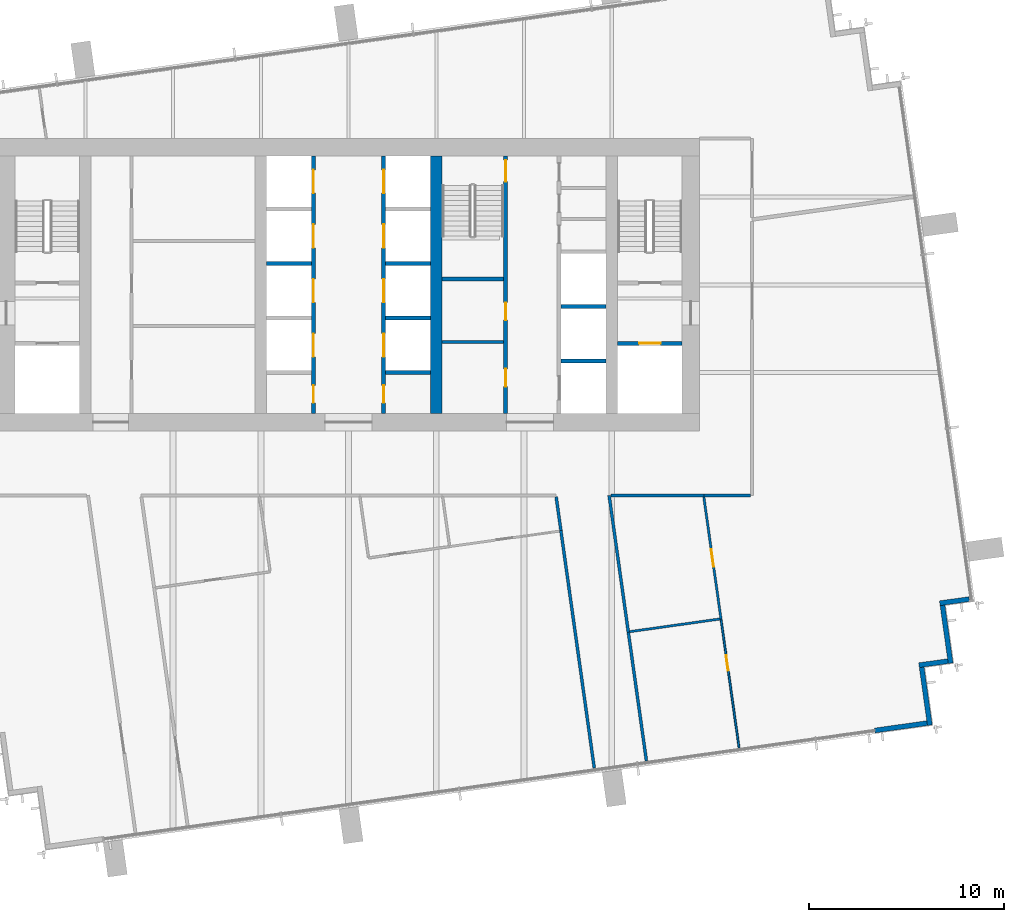
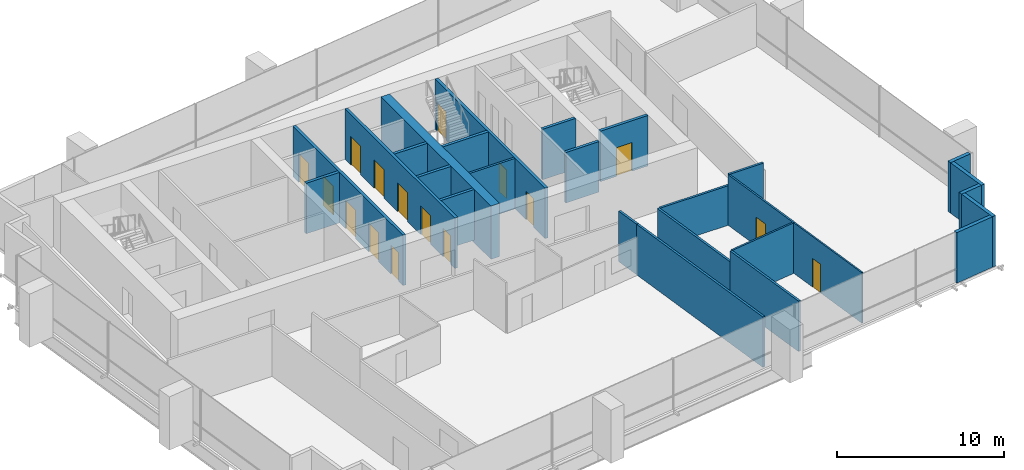
# One storey, part 10 of 13: 27 walls, 16 doors, 16 openings.
"""IFC4 building model written with IfcOpenShell, lengths in metres."""

from ifc_helpers import new_model, si_unit, direction, frame, frame_2d, origin, place, context, subcontext, project, spatial, rectangle, extrude, material, layer, layer_set, type_object, element, fill, save


model = new_model("IFC4")

# Units and contexts
model_context = context("Model", 3, precision=1e-05, world=origin(), true_north=direction((0.0, 1.0)))
body_context = subcontext(model_context, "Body", "Model", "MODEL_VIEW")
ifc_project = project(units=[si_unit("LENGTHUNIT", "METRE"), si_unit("AREAUNIT", "SQUARE_METRE"), si_unit("VOLUMEUNIT", "CUBIC_METRE"), si_unit("PLANEANGLEUNIT", "RADIAN"), si_unit("MASSUNIT", "GRAM", prefix="KILO")], contexts=[model_context])

# Site, building, storey
site_placement = place(None, origin())
site = spatial("IfcSite", under=ifc_project, at=site_placement, CompositionType="ELEMENT")
building_placement = place(site_placement, origin())
building = spatial("IfcBuilding", under=site, at=building_placement, Name="Rattan Terrace Tower", CompositionType="ELEMENT")
storey_placement = place(building_placement, frame((0.0, 0.0, 217.39990234375)))
storey = spatial("IfcBuildingStorey", under=building, at=storey_placement, Name="L49", CompositionType="ELEMENT", Elevation=217.39990234375)

# Wall
ifc_material_1 = material(Name="Gypsum board partition")
ifc_layer_1 = layer(ifc_material_1, 0.14990234375)
ifc_layer_set_1 = layer_set([ifc_layer_1], Name="Core partition 150")
wall_type_1 = type_object("IfcWallType", Name="Core partition 150", PredefinedType="PARTITIONING", material=ifc_layer_set_1)
wall_1_placement = place(storey_placement, frame((4.800048828125, -2.927978515625, 0.0), z_axis=(0.0, 0.0, 1.0), x_axis=(1.0, 0.0, 0.0)))
element("IfcWall", 1, at=wall_1_placement, inside=storey, type_object=wall_type_1, Name="Toilet wall", PredefinedType="PARTITIONING", context=body_context, shape_type="SweptSolid", body=[
    extrude(rectangle(XDim=3.14990234375, YDim=0.14990234375, at=frame_2d((1.574951171875, 0.0))), origin(), (0.0, 0.0, 1.0), 3.7001953125),
])

# Wall, opening, door
ifc_material_2 = material(Name="Gypsum board partition")
ifc_layer_2 = layer(ifc_material_2, 0.199951171875)
ifc_layer_set_2 = layer_set([ifc_layer_2], Name="Core partition 200")
wall_type_2 = type_object("IfcWallType", Name="Core partition 200", PredefinedType="PARTITIONING", material=ifc_layer_set_2)
wall_2_placement = place(storey_placement, frame((13.800048828125, -3.0, 0.0), z_axis=(0.0, 0.0, 1.0), x_axis=(1.0, 0.0, 0.0)))
wall_2 = element("IfcWall", 2, at=wall_2_placement, inside=storey, type_object=wall_type_2, Name="Fire-fighting lobby wall", PredefinedType="PARTITIONING", context=body_context, shape_type="SweptSolid", body=[
    extrude(rectangle(XDim=3.300048828125, YDim=0.199951171875, at=frame_2d((1.64990234375, 0.0))), origin(), (0.0, 0.0, 1.0), 3.7001953125),
])
opening_1_placement = place(wall_2_placement, frame((1.10009765625, 0.0, 0.0)))
opening_1 = element("IfcOpeningElement", 3, at=opening_1_placement, cuts=wall_2, Name="Opening L49-LD-FF2", PredefinedType="OPENING", context=body_context, shape_type="SweptSolid", body=[
    extrude(rectangle(XDim=1.10009765625, YDim=2.10009765625, at=frame_2d((0.550048828125, 1.050048828125))), frame((0.0, 0.110595703125, 0.0), z_axis=(0.0, -1.0, 0.0), x_axis=(1.0, 0.0, 0.0)), (0.0, 0.0, 1.0), 0.220947265625),
])
ifc_material_3 = material(Name="Brushed stainless landing door panel")
door_type_1 = type_object("IfcDoorType", Name="Core lift landing door 1100", OperationType="DOUBLE_DOOR_SLIDING", PredefinedType="DOOR", material=ifc_material_3)
door_1_placement = place(opening_1_placement, origin())
door_1 = element("IfcDoor", 4, at=door_1_placement, inside=storey, type_object=door_type_1, Name="Door L49-LD-FF2", OperationType="DOUBLE_DOOR_SLIDING", OverallHeight=2.10009765625, OverallWidth=1.10009765625, PredefinedType="DOOR", context=body_context, shape_type="SweptSolid", body=[
    extrude(rectangle(XDim=1.10009765625, YDim=2.10009765625, at=frame_2d((0.550048828125, 1.050048828125))), frame((0.0, 0.02490234375, 0.0), z_axis=(0.0, -1.0, 0.0), x_axis=(1.0, 0.0, 0.0)), (0.0, 0.0, 1.0), 0.050048828125),
])
fill(opening_1, door_1)

# Wall, openings, doors
wall_3_placement = place(storey_placement, frame((8.050048828125, -6.60009765625, 0.0), z_axis=(0.0, 0.0, 1.0), x_axis=(0.0, 1.0, 0.0)))
wall_3 = element("IfcWall", 5, at=wall_3_placement, inside=storey, type_object=wall_type_2, Name="Lobby wall west", PredefinedType="PARTITIONING", context=body_context, shape_type="SweptSolid", body=[
    extrude(rectangle(XDim=13.2001953125, YDim=0.199951171875, at=frame_2d((6.60009765625, 0.0))), origin(), (0.0, 0.0, 1.0), 3.7001953125),
])
opening_2_placement = place(wall_3_placement, frame((1.385986328125, 0.0, 0.0)))
opening_2 = element("IfcOpeningElement", 6, at=opening_2_placement, cuts=wall_3, Name="Opening L49-D012", PredefinedType="OPENING", context=body_context, shape_type="SweptSolid", body=[
    extrude(rectangle(XDim=0.89990234375, YDim=2.10009765625, at=frame_2d((0.449951171875, 1.050048828125))), frame((0.0, 0.110595703125, 0.0), z_axis=(0.0, -1.0, 0.0), x_axis=(1.0, 0.0, 0.0)), (0.0, 0.0, 1.0), 0.220947265625),
])
opening_3_placement = place(wall_3_placement, frame((4.785888671875, 0.0, 0.0)))
opening_3 = element("IfcOpeningElement", 7, at=opening_3_placement, cuts=wall_3, Name="Opening L49-D013", PredefinedType="OPENING", context=body_context, shape_type="SweptSolid", body=[
    extrude(rectangle(XDim=0.89990234375, YDim=2.10009765625, at=frame_2d((0.449951171875, 1.050048828125))), frame((0.0, 0.110595703125, 0.0), z_axis=(0.0, -1.0, 0.0), x_axis=(1.0, 0.0, 0.0)), (0.0, 0.0, 1.0), 0.220947265625),
])
opening_4_placement = place(wall_3_placement, frame((11.89990234375, 0.0, 0.0)))
opening_4 = element("IfcOpeningElement", 8, at=opening_4_placement, cuts=wall_3, Name="Opening L49-D014", PredefinedType="OPENING", context=body_context, shape_type="SweptSolid", body=[
    extrude(rectangle(XDim=1.10009765625, YDim=2.10009765625, at=frame_2d((0.550048828125, 1.050048828125))), frame((0.0, 0.110595703125, 0.0), z_axis=(0.0, -1.0, 0.0), x_axis=(1.0, 0.0, 0.0)), (0.0, 0.0, 1.0), 0.220947265625),
])
ifc_material_4 = material(Name="Hollow-metal fire door leaf")
door_type_2 = type_object("IfcDoorType", Name="Core stair door 1100", OperationType="NOTDEFINED", PredefinedType="DOOR", material=ifc_material_4)
door_2_placement = place(opening_4_placement, origin())
door_2 = element("IfcDoor", 9, at=door_2_placement, inside=storey, type_object=door_type_2, Name="Door L49-D014", OperationType="SINGLE_SWING_LEFT", OverallHeight=2.10009765625, OverallWidth=1.10009765625, PredefinedType="DOOR", context=body_context, shape_type="SweptSolid", body=[
    extrude(rectangle(XDim=1.10009765625, YDim=2.10009765625, at=frame_2d((0.550048828125, 1.050048828125))), frame((0.0, 0.02490234375, 0.0), z_axis=(0.0, -1.0, 0.0), x_axis=(1.0, 0.0, 0.0)), (0.0, 0.0, 1.0), 0.050048828125),
])
fill(opening_4, door_2)
ifc_material_5 = material(Name="Hollow-metal fire door leaf")
door_type_3 = type_object("IfcDoorType", Name="Core toilet door 900", OperationType="NOTDEFINED", PredefinedType="DOOR", material=ifc_material_5)
door_3_placement = place(opening_2_placement, origin())
door_3 = element("IfcDoor", 10, at=door_3_placement, inside=storey, type_object=door_type_3, Name="Door L49-D012", OperationType="SINGLE_SWING_LEFT", OverallHeight=2.10009765625, OverallWidth=0.89990234375, PredefinedType="DOOR", context=body_context, shape_type="SweptSolid", body=[
    extrude(rectangle(XDim=0.89990234375, YDim=2.10009765625, at=frame_2d((0.449951171875, 1.050048828125))), frame((0.0, 0.02490234375, 0.0), z_axis=(0.0, -1.0, 0.0), x_axis=(1.0, 0.0, 0.0)), (0.0, 0.0, 1.0), 0.050048828125),
])
fill(opening_2, door_3)
door_4_placement = place(opening_3_placement, origin())
door_4 = element("IfcDoor", 11, at=door_4_placement, inside=storey, type_object=door_type_3, Name="Door L49-D013", OperationType="SINGLE_SWING_RIGHT", OverallHeight=2.10009765625, OverallWidth=0.89990234375, PredefinedType="DOOR", context=body_context, shape_type="SweptSolid", body=[
    extrude(rectangle(XDim=0.89990234375, YDim=2.10009765625, at=frame_2d((0.449951171875, 1.050048828125))), frame((0.0, 0.02490234375, 0.0), z_axis=(0.0, -1.0, 0.0), x_axis=(1.0, 0.0, 0.0)), (0.0, 0.0, 1.0), 0.050048828125),
])
fill(opening_3, door_4)

# Walls
wall_4_placement = place(storey_placement, frame((4.800048828125, 0.300048828125, 0.0), z_axis=(0.0, 0.0, 1.0), x_axis=(1.0, 0.0, 0.0)))
element("IfcWall", 12, at=wall_4_placement, inside=storey, type_object=wall_type_2, Name="Stair enclosure wall", PredefinedType="PARTITIONING", context=body_context, shape_type="SweptSolid", body=[
    extrude(rectangle(XDim=3.14990234375, YDim=0.199951171875, at=frame_2d((1.574951171875, 0.0))), origin(), (0.0, 0.0, 1.0), 3.7001953125),
])
ifc_material_6 = material(Name="Concrete C50/60", Category="concrete")
ifc_layer_3 = layer(ifc_material_6, 0.60009765625)
ifc_layer_set_3 = layer_set([ifc_layer_3], Name="Core spine wall 600 C50/60")
wall_type_3 = type_object("IfcWallType", Name="Core spine wall 600 C50/60", PredefinedType="SHEAR", material=ifc_layer_set_3)
wall_5_placement = place(storey_placement, frame((4.5, -6.60009765625, -0.199951171875), z_axis=(0.0, 0.0, 1.0), x_axis=(0.0, 1.0, 0.0)))
element("IfcWall", 13, at=wall_5_placement, inside=storey, type_object=wall_type_3, Name="Core spine wall 3", PredefinedType="SHEAR", context=body_context, shape_type="SweptSolid", body=[
    extrude(rectangle(XDim=13.2001953125, YDim=0.60009765625, at=frame_2d((6.60009765625, 0.0))), origin(), (0.0, 0.0, 1.0), 3.900146484375),
])
ifc_material_7 = material(Name="Insulated aluminium-clad stud wall", Category="aluminium")
ifc_layer_4 = layer(ifc_material_7, 0.25)
ifc_layer_set_4 = layer_set([ifc_layer_4], Name="Facade Riser Wall 250")
wall_type_4 = type_object("IfcWallType", Name="Facade Riser Wall 250", PredefinedType="SOLIDWALL", material=ifc_layer_set_4)
wall_6_placement = place(storey_placement, frame((26.995361328125, -22.858642578125, 0.0), z_axis=(0.0, 0.0, 1.0), x_axis=(0.99024510326, 0.139336411139, 0.0)))
element("IfcWall", 14, at=wall_6_placement, inside=storey, type_object=wall_type_4, Name="Riser wall L49-1", PredefinedType="SOLIDWALL", context=body_context, shape_type="SweptSolid", body=[
    extrude(rectangle(XDim=2.705322265625, YDim=0.25, at=frame_2d((1.3525390625, 0.0))), origin(), (0.0, 0.0, 1.0), 3.7001953125),
])
wall_7_placement = place(storey_placement, frame((29.8154296875, -22.588134765625, 0.0), z_axis=(0.0, 0.0, 1.0), x_axis=(-0.138983028379, 0.9902947631, 0.0)))
element("IfcWall", 15, at=wall_7_placement, inside=storey, type_object=wall_type_4, Name="Riser wall L49-2", PredefinedType="SOLIDWALL", context=body_context, shape_type="SweptSolid", body=[
    extrude(rectangle(XDim=3.000244140625, YDim=0.25, at=frame_2d((1.5, 0.0))), origin(), (0.0, 0.0, 1.0), 3.7001953125),
])
wall_8_placement = place(storey_placement, frame((29.25732421875, -19.510498046875, 0.0), z_axis=(0.0, 0.0, 1.0), x_axis=(0.990330117064, 0.138730887823, 0.0)))
element("IfcWall", 16, at=wall_8_placement, inside=storey, type_object=wall_type_4, Name="Riser wall L49-3", PredefinedType="SOLIDWALL", context=body_context, shape_type="SweptSolid", body=[
    extrude(rectangle(XDim=1.499267578125, YDim=0.25, at=frame_2d((0.74951171875, 0.0))), origin(), (0.0, 0.0, 1.0), 3.7001953125),
])
wall_9_placement = place(storey_placement, frame((30.88330078125, -19.408935546875, 0.0), z_axis=(0.0, 0.0, 1.0), x_axis=(-0.139324658755, 0.990246756855, 0.0)))
element("IfcWall", 17, at=wall_9_placement, inside=storey, type_object=wall_type_4, Name="Riser wall L49-4", PredefinedType="SOLIDWALL", context=body_context, shape_type="SweptSolid", body=[
    extrude(rectangle(XDim=3.0, YDim=0.25, at=frame_2d((1.5, 0.0))), origin(), (0.0, 0.0, 1.0), 3.7001953125),
])
wall_10_placement = place(storey_placement, frame((30.32421875, -16.331787109375, 0.0), z_axis=(0.0, 0.0, 1.0), x_axis=(0.990238641016, 0.139382329723, 0.0)))
element("IfcWall", 18, at=wall_10_placement, inside=storey, type_object=wall_type_4, Name="Riser wall L49-5", PredefinedType="SOLIDWALL", context=body_context, shape_type="SweptSolid", body=[
    extrude(rectangle(XDim=1.525634765625, YDim=0.25, at=frame_2d((0.7626953125, 0.0))), origin(), (0.0, 0.0, 1.0), 3.7001953125),
])

# Wall, opening, door
ifc_material_8 = material(Name="Gypsum board partition on steel studs", Category="steel")
ifc_layer_5 = layer(ifc_material_8, 0.10009765625)
ifc_layer_set_5 = layer_set([ifc_layer_5], Name="Floors Partition 100")
wall_type_5 = type_object("IfcWallType", Name="Floors Partition 100", PredefinedType="PARTITIONING", material=ifc_layer_set_5)
wall_11_placement = place(storey_placement, frame((20.030029296875, -23.74609375, 0.0), z_axis=(0.0, 0.0, 1.0), x_axis=(-0.139070003418, 0.990282552683, 0.0)))
wall_11 = element("IfcWall", 19, at=wall_11_placement, inside=storey, type_object=wall_type_5, Name="pt-L49-020", PredefinedType="PARTITIONING", context=body_context, shape_type="SweptSolid", body=[
    extrude(rectangle(XDim=6.65869140625, YDim=0.10009765625, at=frame_2d((3.329345703125, 0.0))), origin(), (0.0, 0.0, 1.0), 3.7001953125),
])
opening_5_placement = place(wall_11_placement, frame((4.0009765625, 0.0, 0.0)))
opening_5 = element("IfcOpeningElement", 20, at=opening_5_placement, cuts=wall_11, Name="Opening L49-D102", PredefinedType="OPENING", context=body_context, shape_type="SweptSolid", body=[
    extrude(rectangle(XDim=0.800048828125, YDim=2.10009765625, at=frame_2d((0.39990234375, 1.050048828125))), frame((0.0, 0.060546875, 0.0), z_axis=(0.0, -1.0, 0.0), x_axis=(1.0, 0.0, 0.0)), (0.0, 0.0, 1.0), 0.12109375),
])
ifc_material_9 = material(Name="Solid core timber door, painted", Category="wood")
door_type_4 = type_object("IfcDoorType", Name="Floors Store Door 800x2100", OperationType="NOTDEFINED", PredefinedType="DOOR", material=ifc_material_9)
door_5_placement = place(opening_5_placement, origin())
door_5 = element("IfcDoor", 21, at=door_5_placement, inside=storey, type_object=door_type_4, Name="d-L49-102", OperationType="SINGLE_SWING_RIGHT", OverallHeight=2.10009765625, OverallWidth=0.800048828125, PredefinedType="DOOR", context=body_context, shape_type="SweptSolid", body=[
    extrude(rectangle(XDim=0.800048828125, YDim=2.10009765625, at=frame_2d((0.39990234375, 1.050048828125))), frame((0.0, 0.02490234375, 0.0), z_axis=(0.0, -1.0, 0.0), x_axis=(1.0, 0.0, 0.0)), (0.0, 0.0, 1.0), 0.050048828125),
])
fill(opening_5, door_5)

# Walls
ifc_material_10 = material(Name="Gypsum board partition on steel studs, fire rated", Category="steel")
ifc_layer_6 = layer(ifc_material_10, 0.14990234375)
ifc_layer_set_6 = layer_set([ifc_layer_6], Name="Floors Tenancy Wall 150")
wall_type_6 = type_object("IfcWallType", Name="Floors Tenancy Wall 150", PredefinedType="PARTITIONING", material=ifc_layer_set_6)
wall_12_placement = place(storey_placement, frame((20.625, -10.801025390625, 0.0), z_axis=(0.0, 0.0, 1.0), x_axis=(-1.0, 0.0, 0.0)))
element("IfcWall", 22, at=wall_12_placement, inside=storey, type_object=wall_type_6, Name="pt-L49-004", PredefinedType="PARTITIONING", context=body_context, shape_type="SweptSolid", body=[
    extrude(rectangle(XDim=2.39404296875, YDim=0.14990234375, at=frame_2d((1.197021484375, 0.0))), origin(), (0.0, 0.0, 1.0), 3.7001953125),
])
wall_13_placement = place(storey_placement, frame((14.35009765625, -17.820068359375, 0.0), z_axis=(0.0, 0.0, 1.0), x_axis=(0.139193607275, -0.99026518655, 0.0)))
element("IfcWall", 23, at=wall_13_placement, inside=storey, type_object=wall_type_6, Name="pt-L49-006", PredefinedType="PARTITIONING", context=body_context, shape_type="SweptSolid", body=[
    extrude(rectangle(XDim=6.659912109375, YDim=0.14990234375, at=frame_2d((3.330078125, 0.0))), origin(), (0.0, 0.0, 1.0), 3.7001953125),
])
wall_14_placement = place(storey_placement, frame((13.363037109375, -10.800048828125, 0.0), z_axis=(0.0, 0.0, 1.0), x_axis=(0.139236890445, -0.990259101619, 0.0)))
element("IfcWall", 24, at=wall_14_placement, inside=storey, type_object=wall_type_6, Name="pt-L49-007", PredefinedType="PARTITIONING", context=body_context, shape_type="SweptSolid", body=[
    extrude(rectangle(XDim=7.089111328125, YDim=0.14990234375, at=frame_2d((3.54443359375, 0.0))), origin(), (0.0, 0.0, 1.0), 2.900146484375),
])
wall_15_placement = place(storey_placement, frame((18.23095703125, -10.800048828125, 0.0), z_axis=(0.0, 0.0, 1.0), x_axis=(-1.0, 0.0, 0.0)))
element("IfcWall", 25, at=wall_15_placement, inside=storey, type_object=wall_type_6, Name="pt-L49-008", PredefinedType="PARTITIONING", context=body_context, shape_type="SweptSolid", body=[
    extrude(rectangle(XDim=4.781982421875, YDim=0.14990234375, at=frame_2d((2.39111328125, 0.0))), origin(), (0.0, 0.0, 1.0), 2.900146484375),
])
wall_16_placement = place(storey_placement, frame((12.60302734375, -24.791015625, 0.0), z_axis=(0.0, 0.0, 1.0), x_axis=(-0.139180069817, 0.990267089308, 0.0)))
element("IfcWall", 26, at=wall_16_placement, inside=storey, type_object=wall_type_6, Name="pt-L49-014", PredefinedType="PARTITIONING", context=body_context, shape_type="SweptSolid", body=[
    extrude(rectangle(XDim=12.308837890625, YDim=0.14990234375, at=frame_2d((6.154296875, 0.0))), origin(), (0.0, 0.0, 1.0), 3.7001953125),
])
wall_17_placement = place(storey_placement, frame((10.89111328125, -12.60107421875, 0.0), z_axis=(0.0, 0.0, 1.0), x_axis=(-0.139344862723, 0.990243914009, 0.0)))
element("IfcWall", 27, at=wall_17_placement, inside=storey, type_object=wall_type_6, Name="pt-L49-019", PredefinedType="PARTITIONING", context=body_context, shape_type="SweptSolid", body=[
    extrude(rectangle(XDim=1.7451171875, YDim=0.14990234375, at=frame_2d((0.87255859375, 0.0))), origin(), (0.0, 0.0, 1.0), 3.7001953125),
])

# Wall, opening, door
ifc_material_11 = material(Name="Moisture resistant gypsum board partition on steel studs with service cavity", Category="steel")
ifc_layer_7 = layer(ifc_material_11, 0.1201171875)
ifc_layer_set_7 = layer_set([ifc_layer_7], Name="Floors Wet Wall 120")
wall_type_7 = type_object("IfcWallType", Name="Floors Wet Wall 120", PredefinedType="PARTITIONING", material=ifc_layer_set_7)
wall_18_placement = place(storey_placement, frame((19.10400390625, -17.152099609375, 0.0), z_axis=(0.0, 0.0, 1.0), x_axis=(-0.139283120935, 0.99025260021, 0.0)))
wall_18 = element("IfcWall", 28, at=wall_18_placement, inside=storey, type_object=wall_type_7, Name="pt-L49-021", PredefinedType="PARTITIONING", context=body_context, shape_type="SweptSolid", body=[
    extrude(rectangle(XDim=6.346923828125, YDim=0.1201171875, at=frame_2d((3.17333984375, 0.0))), origin(), (0.0, 0.0, 1.0), 3.7001953125),
])
opening_6_placement = place(wall_18_placement, frame((2.722900390625, 0.0, 0.0)))
opening_6 = element("IfcOpeningElement", 29, at=opening_6_placement, cuts=wall_18, Name="Opening L49-D103", PredefinedType="OPENING", context=body_context, shape_type="SweptSolid", body=[
    extrude(rectangle(XDim=0.89990234375, YDim=2.10009765625, at=frame_2d((0.449951171875, 1.050048828125))), frame((0.0, 0.070556640625, 0.0), z_axis=(0.0, -1.0, 0.0), x_axis=(1.0, 0.0, 0.0)), (0.0, 0.0, 1.0), 0.14111328125),
])
ifc_material_12 = material(Name="Solid core timber door, painted", Category="wood")
door_type_5 = type_object("IfcDoorType", Name="Floors Door 900x2100", OperationType="NOTDEFINED", PredefinedType="DOOR", material=ifc_material_12)
door_6_placement = place(opening_6_placement, origin())
door_6 = element("IfcDoor", 30, at=door_6_placement, inside=storey, type_object=door_type_5, Name="d-L49-103", OperationType="SINGLE_SWING_RIGHT", OverallHeight=2.10009765625, OverallWidth=0.89990234375, PredefinedType="DOOR", context=body_context, shape_type="SweptSolid", body=[
    extrude(rectangle(XDim=0.89990234375, YDim=2.10009765625, at=frame_2d((0.449951171875, 1.050048828125))), frame((0.0, 0.02490234375, 0.0), z_axis=(0.0, -1.0, 0.0), x_axis=(1.0, 0.0, 0.0)), (0.0, 0.0, 1.0), 0.050048828125),
])
fill(opening_6, door_6)

# Wall
wall_19_placement = place(storey_placement, frame((14.4208984375, -17.7900390625, 0.0), z_axis=(0.0, 0.0, 1.0), x_axis=(0.990243495755, 0.139347834982, 0.0)))
element("IfcWall", 31, at=wall_19_placement, inside=storey, type_object=wall_type_7, Name="pt-L49-023", PredefinedType="PARTITIONING", context=body_context, shape_type="SweptSolid", body=[
    extrude(rectangle(XDim=4.66552734375, YDim=0.1201171875, at=frame_2d((2.332763671875, 0.0))), origin(), (0.0, 0.0, 1.0), 3.7001953125),
])

# Wall, openings, doors
ifc_material_13 = material(Name="Gypsum shaft wall system")
ifc_layer_8 = layer(ifc_material_13, 0.199951171875)
ifc_layer_set_8 = layer_set([ifc_layer_8], Name="Lift shaft wall 200")
wall_type_8 = type_object("IfcWallType", Name="Lift shaft wall 200", PredefinedType="PARTITIONING", material=ifc_layer_set_8)
wall_20_placement = place(storey_placement, frame((-1.800048828125, -6.60009765625, 0.0), z_axis=(0.0, 0.0, 1.0), x_axis=(0.0, 1.0, 0.0)))
wall_20 = element("IfcWall", 32, at=wall_20_placement, inside=storey, type_object=wall_type_8, Name="Lift shaft front wall", PredefinedType="PARTITIONING", context=body_context, shape_type="SweptSolid", body=[
    extrude(rectangle(XDim=13.2001953125, YDim=0.199951171875, at=frame_2d((6.60009765625, 0.0))), origin(), (0.0, 0.0, 1.0), 3.7001953125),
])
opening_7_placement = place(wall_20_placement, frame((0.550048828125, 0.0, 0.0)))
opening_7 = element("IfcOpeningElement", 33, at=opening_7_placement, cuts=wall_20, Name="Opening L49-D009", PredefinedType="OPENING", context=body_context, shape_type="SweptSolid", body=[
    extrude(rectangle(XDim=0.89990234375, YDim=2.10009765625, at=frame_2d((0.449951171875, 1.050048828125))), frame((0.0, 0.110595703125, 0.0), z_axis=(0.0, -1.0, 0.0), x_axis=(1.0, 0.0, 0.0)), (0.0, 0.0, 1.0), 0.220947265625),
])
opening_8_placement = place(wall_20_placement, frame((2.89990234375, 0.0, 0.0)))
opening_8 = element("IfcOpeningElement", 34, at=opening_8_placement, cuts=wall_20, Name="Opening L49-LD-HR1", PredefinedType="OPENING", context=body_context, shape_type="SweptSolid", body=[
    extrude(rectangle(XDim=1.199951171875, YDim=2.10009765625, at=frame_2d((0.60009765625, 1.050048828125))), frame((0.0, 0.110595703125, 0.0), z_axis=(0.0, -1.0, 0.0), x_axis=(1.0, 0.0, 0.0)), (0.0, 0.0, 1.0), 0.220947265625),
])
opening_9_placement = place(wall_20_placement, frame((5.699951171875, 0.0, 0.0)))
opening_9 = element("IfcOpeningElement", 35, at=opening_9_placement, cuts=wall_20, Name="Opening L49-LD-HR2", PredefinedType="OPENING", context=body_context, shape_type="SweptSolid", body=[
    extrude(rectangle(XDim=1.199951171875, YDim=2.10009765625, at=frame_2d((0.60009765625, 1.050048828125))), frame((0.0, 0.110595703125, 0.0), z_axis=(0.0, -1.0, 0.0), x_axis=(1.0, 0.0, 0.0)), (0.0, 0.0, 1.0), 0.220947265625),
])
opening_10_placement = place(wall_20_placement, frame((8.5, 0.0, 0.0)))
opening_10 = element("IfcOpeningElement", 36, at=opening_10_placement, cuts=wall_20, Name="Opening L49-LD-HR3", PredefinedType="OPENING", context=body_context, shape_type="SweptSolid", body=[
    extrude(rectangle(XDim=1.199951171875, YDim=2.10009765625, at=frame_2d((0.60009765625, 1.050048828125))), frame((0.0, 0.110595703125, 0.0), z_axis=(0.0, -1.0, 0.0), x_axis=(1.0, 0.0, 0.0)), (0.0, 0.0, 1.0), 0.220947265625),
])
opening_11_placement = place(wall_20_placement, frame((11.300048828125, 0.0, 0.0)))
opening_11 = element("IfcOpeningElement", 37, at=opening_11_placement, cuts=wall_20, Name="Opening L49-LD-HR4", PredefinedType="OPENING", context=body_context, shape_type="SweptSolid", body=[
    extrude(rectangle(XDim=1.199951171875, YDim=2.10009765625, at=frame_2d((0.60009765625, 1.050048828125))), frame((0.0, 0.110595703125, 0.0), z_axis=(0.0, -1.0, 0.0), x_axis=(1.0, 0.0, 0.0)), (0.0, 0.0, 1.0), 0.220947265625),
])
ifc_material_14 = material(Name="Brushed stainless landing door panel")
door_type_6 = type_object("IfcDoorType", Name="Core lift landing door 1200", OperationType="DOUBLE_DOOR_SLIDING", PredefinedType="DOOR", material=ifc_material_14)
door_7_placement = place(opening_8_placement, origin())
door_7 = element("IfcDoor", 38, at=door_7_placement, inside=storey, type_object=door_type_6, Name="Door L49-LD-HR1", OperationType="DOUBLE_DOOR_SLIDING", OverallHeight=2.10009765625, OverallWidth=1.199951171875, PredefinedType="DOOR", context=body_context, shape_type="SweptSolid", body=[
    extrude(rectangle(XDim=1.199951171875, YDim=2.10009765625, at=frame_2d((0.60009765625, 1.050048828125))), frame((0.0, 0.02490234375, 0.0), z_axis=(0.0, -1.0, 0.0), x_axis=(1.0, 0.0, 0.0)), (0.0, 0.0, 1.0), 0.050048828125),
])
fill(opening_8, door_7)
door_8_placement = place(opening_9_placement, origin())
door_8 = element("IfcDoor", 39, at=door_8_placement, inside=storey, type_object=door_type_6, Name="Door L49-LD-HR2", OperationType="DOUBLE_DOOR_SLIDING", OverallHeight=2.10009765625, OverallWidth=1.199951171875, PredefinedType="DOOR", context=body_context, shape_type="SweptSolid", body=[
    extrude(rectangle(XDim=1.199951171875, YDim=2.10009765625, at=frame_2d((0.60009765625, 1.050048828125))), frame((0.0, 0.02490234375, 0.0), z_axis=(0.0, -1.0, 0.0), x_axis=(1.0, 0.0, 0.0)), (0.0, 0.0, 1.0), 0.050048828125),
])
fill(opening_9, door_8)
door_9_placement = place(opening_10_placement, origin())
door_9 = element("IfcDoor", 40, at=door_9_placement, inside=storey, type_object=door_type_6, Name="Door L49-LD-HR3", OperationType="DOUBLE_DOOR_SLIDING", OverallHeight=2.10009765625, OverallWidth=1.199951171875, PredefinedType="DOOR", context=body_context, shape_type="SweptSolid", body=[
    extrude(rectangle(XDim=1.199951171875, YDim=2.10009765625, at=frame_2d((0.60009765625, 1.050048828125))), frame((0.0, 0.02490234375, 0.0), z_axis=(0.0, -1.0, 0.0), x_axis=(1.0, 0.0, 0.0)), (0.0, 0.0, 1.0), 0.050048828125),
])
fill(opening_10, door_9)
door_10_placement = place(opening_11_placement, origin())
door_10 = element("IfcDoor", 41, at=door_10_placement, inside=storey, type_object=door_type_6, Name="Door L49-LD-HR4", OperationType="DOUBLE_DOOR_SLIDING", OverallHeight=2.10009765625, OverallWidth=1.199951171875, PredefinedType="DOOR", context=body_context, shape_type="SweptSolid", body=[
    extrude(rectangle(XDim=1.199951171875, YDim=2.10009765625, at=frame_2d((0.60009765625, 1.050048828125))), frame((0.0, 0.02490234375, 0.0), z_axis=(0.0, -1.0, 0.0), x_axis=(1.0, 0.0, 0.0)), (0.0, 0.0, 1.0), 0.050048828125),
])
fill(opening_11, door_10)
ifc_material_15 = material(Name="Hollow-metal fire door leaf")
door_type_7 = type_object("IfcDoorType", Name="Core riser door 900", OperationType="NOTDEFINED", PredefinedType="DOOR", material=ifc_material_15)
door_11_placement = place(opening_7_placement, origin())
door_11 = element("IfcDoor", 42, at=door_11_placement, inside=storey, type_object=door_type_7, Name="Door L49-D009", OperationType="SINGLE_SWING_LEFT", OverallHeight=2.10009765625, OverallWidth=0.89990234375, PredefinedType="DOOR", context=body_context, shape_type="SweptSolid", body=[
    extrude(rectangle(XDim=0.89990234375, YDim=2.10009765625, at=frame_2d((0.449951171875, 1.050048828125))), frame((0.0, 0.02490234375, 0.0), z_axis=(0.0, -1.0, 0.0), x_axis=(1.0, 0.0, 0.0)), (0.0, 0.0, 1.0), 0.050048828125),
])
fill(opening_7, door_11)

wall_21_placement = place(storey_placement, frame((1.800048828125, -6.60009765625, 0.0), z_axis=(0.0, 0.0, 1.0), x_axis=(0.0, 1.0, 0.0)))
wall_21 = element("IfcWall", 43, at=wall_21_placement, inside=storey, type_object=wall_type_8, Name="Lift shaft front wall", PredefinedType="PARTITIONING", context=body_context, shape_type="SweptSolid", body=[
    extrude(rectangle(XDim=13.2001953125, YDim=0.199951171875, at=frame_2d((6.60009765625, 0.0))), origin(), (0.0, 0.0, 1.0), 3.7001953125),
])
opening_12_placement = place(wall_21_placement, frame((0.550048828125, 0.0, 0.0)))
opening_12 = element("IfcOpeningElement", 44, at=opening_12_placement, cuts=wall_21, Name="Opening L49-D010", PredefinedType="OPENING", context=body_context, shape_type="SweptSolid", body=[
    extrude(rectangle(XDim=0.89990234375, YDim=2.10009765625, at=frame_2d((0.449951171875, 1.050048828125))), frame((0.0, 0.110595703125, 0.0), z_axis=(0.0, -1.0, 0.0), x_axis=(1.0, 0.0, 0.0)), (0.0, 0.0, 1.0), 0.220947265625),
])
opening_13_placement = place(wall_21_placement, frame((2.89990234375, 0.0, 0.0)))
opening_13 = element("IfcOpeningElement", 45, at=opening_13_placement, cuts=wall_21, Name="Opening L49-LD-HR5", PredefinedType="OPENING", context=body_context, shape_type="SweptSolid", body=[
    extrude(rectangle(XDim=1.199951171875, YDim=2.10009765625, at=frame_2d((0.60009765625, 1.050048828125))), frame((0.0, 0.110595703125, 0.0), z_axis=(0.0, -1.0, 0.0), x_axis=(1.0, 0.0, 0.0)), (0.0, 0.0, 1.0), 0.220947265625),
])
opening_14_placement = place(wall_21_placement, frame((5.699951171875, 0.0, 0.0)))
opening_14 = element("IfcOpeningElement", 46, at=opening_14_placement, cuts=wall_21, Name="Opening L49-LD-HR6", PredefinedType="OPENING", context=body_context, shape_type="SweptSolid", body=[
    extrude(rectangle(XDim=1.199951171875, YDim=2.10009765625, at=frame_2d((0.60009765625, 1.050048828125))), frame((0.0, 0.110595703125, 0.0), z_axis=(0.0, -1.0, 0.0), x_axis=(1.0, 0.0, 0.0)), (0.0, 0.0, 1.0), 0.220947265625),
])
opening_15_placement = place(wall_21_placement, frame((8.5, 0.0, 0.0)))
opening_15 = element("IfcOpeningElement", 47, at=opening_15_placement, cuts=wall_21, Name="Opening L49-LD-HR7", PredefinedType="OPENING", context=body_context, shape_type="SweptSolid", body=[
    extrude(rectangle(XDim=1.199951171875, YDim=2.10009765625, at=frame_2d((0.60009765625, 1.050048828125))), frame((0.0, 0.110595703125, 0.0), z_axis=(0.0, -1.0, 0.0), x_axis=(1.0, 0.0, 0.0)), (0.0, 0.0, 1.0), 0.220947265625),
])
opening_16_placement = place(wall_21_placement, frame((11.300048828125, 0.0, 0.0)))
opening_16 = element("IfcOpeningElement", 48, at=opening_16_placement, cuts=wall_21, Name="Opening L49-LD-HR8", PredefinedType="OPENING", context=body_context, shape_type="SweptSolid", body=[
    extrude(rectangle(XDim=1.199951171875, YDim=2.10009765625, at=frame_2d((0.60009765625, 1.050048828125))), frame((0.0, 0.110595703125, 0.0), z_axis=(0.0, -1.0, 0.0), x_axis=(1.0, 0.0, 0.0)), (0.0, 0.0, 1.0), 0.220947265625),
])
door_12_placement = place(opening_13_placement, origin())
door_12 = element("IfcDoor", 49, at=door_12_placement, inside=storey, type_object=door_type_6, Name="Door L49-LD-HR5", OperationType="DOUBLE_DOOR_SLIDING", OverallHeight=2.10009765625, OverallWidth=1.199951171875, PredefinedType="DOOR", context=body_context, shape_type="SweptSolid", body=[
    extrude(rectangle(XDim=1.199951171875, YDim=2.10009765625, at=frame_2d((0.60009765625, 1.050048828125))), frame((0.0, 0.02490234375, 0.0), z_axis=(0.0, -1.0, 0.0), x_axis=(1.0, 0.0, 0.0)), (0.0, 0.0, 1.0), 0.050048828125),
])
fill(opening_13, door_12)
door_13_placement = place(opening_14_placement, origin())
door_13 = element("IfcDoor", 50, at=door_13_placement, inside=storey, type_object=door_type_6, Name="Door L49-LD-HR6", OperationType="DOUBLE_DOOR_SLIDING", OverallHeight=2.10009765625, OverallWidth=1.199951171875, PredefinedType="DOOR", context=body_context, shape_type="SweptSolid", body=[
    extrude(rectangle(XDim=1.199951171875, YDim=2.10009765625, at=frame_2d((0.60009765625, 1.050048828125))), frame((0.0, 0.02490234375, 0.0), z_axis=(0.0, -1.0, 0.0), x_axis=(1.0, 0.0, 0.0)), (0.0, 0.0, 1.0), 0.050048828125),
])
fill(opening_14, door_13)
door_14_placement = place(opening_15_placement, origin())
door_14 = element("IfcDoor", 51, at=door_14_placement, inside=storey, type_object=door_type_6, Name="Door L49-LD-HR7", OperationType="DOUBLE_DOOR_SLIDING", OverallHeight=2.10009765625, OverallWidth=1.199951171875, PredefinedType="DOOR", context=body_context, shape_type="SweptSolid", body=[
    extrude(rectangle(XDim=1.199951171875, YDim=2.10009765625, at=frame_2d((0.60009765625, 1.050048828125))), frame((0.0, 0.02490234375, 0.0), z_axis=(0.0, -1.0, 0.0), x_axis=(1.0, 0.0, 0.0)), (0.0, 0.0, 1.0), 0.050048828125),
])
fill(opening_15, door_14)
door_15_placement = place(opening_16_placement, origin())
door_15 = element("IfcDoor", 52, at=door_15_placement, inside=storey, type_object=door_type_6, Name="Door L49-LD-HR8", OperationType="DOUBLE_DOOR_SLIDING", OverallHeight=2.10009765625, OverallWidth=1.199951171875, PredefinedType="DOOR", context=body_context, shape_type="SweptSolid", body=[
    extrude(rectangle(XDim=1.199951171875, YDim=2.10009765625, at=frame_2d((0.60009765625, 1.050048828125))), frame((0.0, 0.02490234375, 0.0), z_axis=(0.0, -1.0, 0.0), x_axis=(1.0, 0.0, 0.0)), (0.0, 0.0, 1.0), 0.050048828125),
])
fill(opening_16, door_15)
door_16_placement = place(opening_12_placement, origin())
door_16 = element("IfcDoor", 53, at=door_16_placement, inside=storey, type_object=door_type_7, Name="Door L49-D010", OperationType="SINGLE_SWING_RIGHT", OverallHeight=2.10009765625, OverallWidth=0.89990234375, PredefinedType="DOOR", context=body_context, shape_type="SweptSolid", body=[
    extrude(rectangle(XDim=0.89990234375, YDim=2.10009765625, at=frame_2d((0.449951171875, 1.050048828125))), frame((0.0, 0.02490234375, 0.0), z_axis=(0.0, -1.0, 0.0), x_axis=(1.0, 0.0, 0.0)), (0.0, 0.0, 1.0), 0.050048828125),
])
fill(opening_12, door_16)

# Walls
for number, where, z_axis, x_axis, name in (
    (54, (-4.199951171875, 1.10009765625, 0.0), (0.0, 0.0, 1.0), (1.0, 0.0, 0.0), "Lift shaft wall"),
    (55, (1.89990234375, -1.699951171875, 0.0), (0.0, 0.0, 1.0), (1.0, 0.0, 0.0), "Lift shaft wall"),
    (56, (1.89990234375, 1.10009765625, 0.0), (0.0, 0.0, 1.0), (1.0, 0.0, 0.0), "Lift shaft wall"),
    (57, (1.89990234375, -4.5, 0.0), (0.0, 0.0, 1.0), (1.0, 0.0, 0.0), "Lift shaft wall"),
    (58, (10.89990234375, -3.89990234375, 0.0), (0.0, 0.0, 1.0), (1.0, 0.0, 0.0), "Lift shaft wall"),
    (59, (10.89990234375, -1.10009765625, 0.0), (0.0, 0.0, 1.0), (1.0, 0.0, 0.0), "Lift shaft wall"),
):
    element("IfcWall", number, at=place(storey_placement, frame(where, z_axis=z_axis, x_axis=x_axis)), inside=storey, type_object=wall_type_8, Name=name, PredefinedType="PARTITIONING", context=body_context, shape_type="SweptSolid", body=[
        extrude(rectangle(XDim=2.300048828125, YDim=0.199951171875, at=frame_2d((1.14990234375, 0.0))), origin(), (0.0, 0.0, 1.0), 3.7001953125),
    ])

save(model, "model.ifc")
